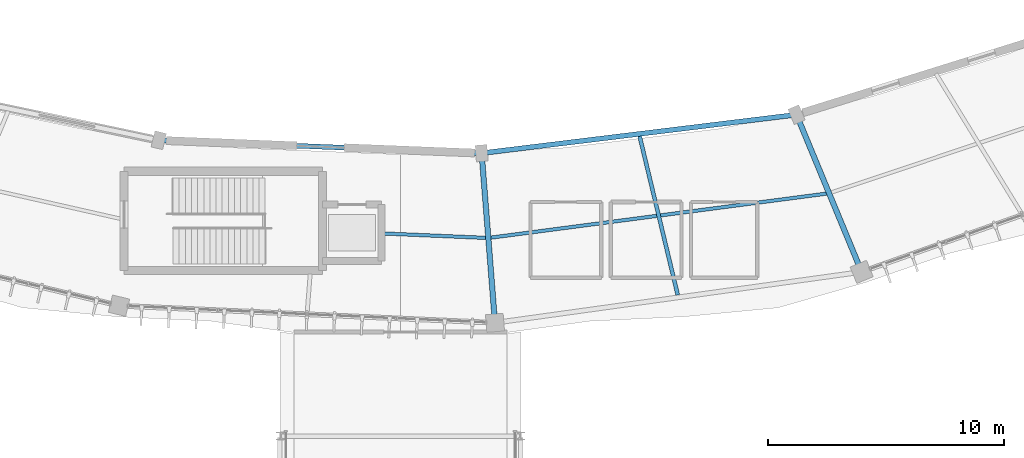
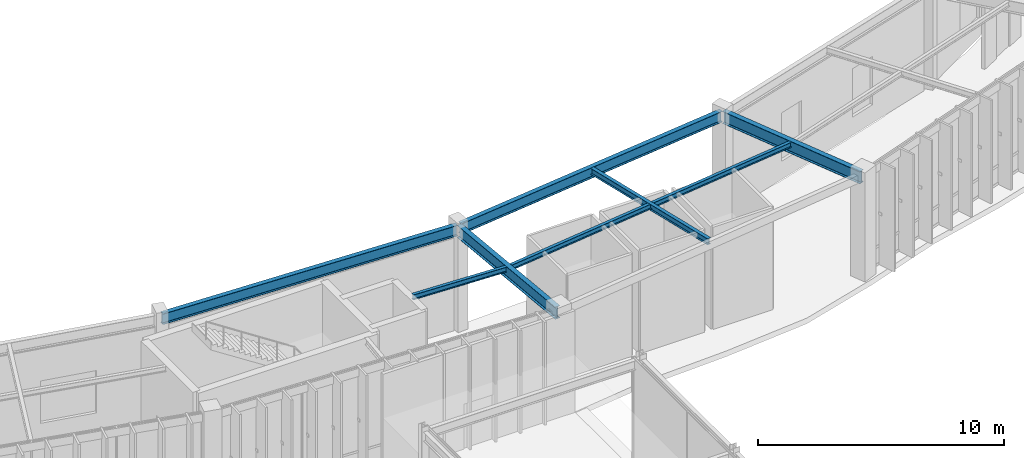
# One storey, part 59 of 157: 7 beams.
"""IFC4 building model written with IfcOpenShell, lengths in metres."""

from ifc_helpers import new_model, si_unit, direction, frame, origin, origin_2d, place, context, subcontext, project, spatial, i_section, extrude, material, material_profile, profile_set, type_object, element, save


model = new_model("IFC4")

# Units and contexts
model_context = context("Model", 3, precision=1e-05, world=origin(), true_north=direction((0.0, 1.0)))
body_context = subcontext(model_context, "Body", "Model", "MODEL_VIEW")
ifc_project = project(units=[si_unit("LENGTHUNIT", "METRE"), si_unit("AREAUNIT", "SQUARE_METRE"), si_unit("VOLUMEUNIT", "CUBIC_METRE"), si_unit("PLANEANGLEUNIT", "RADIAN"), si_unit("MASSUNIT", "GRAM", prefix="KILO"), si_unit("THERMODYNAMICTEMPERATUREUNIT", "KELVIN"), si_unit("POWERUNIT", "WATT")], contexts=[model_context])

# Site, building, storey
site_placement = place(None, origin())
site = spatial("IfcSite", under=ifc_project, at=site_placement, CompositionType="ELEMENT")
building_placement = place(site_placement, origin())
building = spatial("IfcBuilding", under=site, at=building_placement, Name="Darbajah Civic Hall", CompositionType="ELEMENT")
storey_placement = place(building_placement, origin())
storey = spatial("IfcBuildingStorey", under=building, at=storey_placement, Name="L00", CompositionType="ELEMENT", Elevation=0.0)

# Beams
ifc_material = material(Name="Steel S355JR", Category="steel")
ifc_material_profile_1 = material_profile(ifc_material, i_section(OverallWidth=0.146484375, OverallDepth=0.256103515625, WebThickness=0.00634765625, FlangeThickness=0.010986328125, FilletRadius=0.007568359375, at=origin_2d()), Name="UB 254x146x37")
ifc_profile_set_1 = profile_set([ifc_material_profile_1], Name="Steel S355JR")
beam_type_1 = type_object("IfcBeamType", Name="UB 254x146x37", PredefinedType="JOIST", material=ifc_profile_set_1)
beam_1_placement = place(storey_placement, frame((88.419921875, 64.1689453125, 4.991943359375), z_axis=(0.999077737956, -0.042938019518, 0.0), x_axis=(0.042938019518, 0.999077737956, 0.0)))
element("IfcBeam", 1, at=beam_1_placement, inside=storey, type_object=beam_type_1, Name="L00 beam SJ-254", PredefinedType="JOIST", context=body_context, shape_type="SweptSolid", body=[
    extrude(i_section(OverallWidth=0.146484375, OverallDepth=0.256103515625, WebThickness=0.00634765625, FlangeThickness=0.010986328125, FilletRadius=0.007568359375, at=origin_2d()), origin(), (0.0, 0.0, 1.0), 4.287109375),
])
beam_2_placement = place(storey_placement, frame((92.93408203125, 63.994873046875, 4.991943359375), z_axis=(0.991504446027, 0.130072800801, 0.0), x_axis=(-0.130072800801, 0.991504446027, 0.0)))
element("IfcBeam", 2, at=beam_2_placement, inside=storey, type_object=beam_type_1, Name="L00 beam SJ-254", PredefinedType="JOIST", context=body_context, shape_type="SweptSolid", body=[
    extrude(i_section(OverallWidth=0.146484375, OverallDepth=0.256103515625, WebThickness=0.00634765625, FlangeThickness=0.010986328125, FilletRadius=0.007568359375, at=origin_2d()), origin(), (0.0, 0.0, 1.0), 14.311767578125),
])
ifc_material_profile_2 = material_profile(ifc_material, i_section(OverallWidth=0.165771484375, OverallDepth=0.306640625, WebThickness=0.006591796875, FlangeThickness=0.01171875, FilletRadius=0.0087890625, at=origin_2d()), Name="UB 305x165x46")
ifc_profile_set_2 = profile_set([ifc_material_profile_2], Name="Steel S355JR")
beam_type_2 = type_object("IfcBeamType", Name="UB 305x165x46", PredefinedType="JOIST", material=ifc_profile_set_2)
beam_3_placement = place(storey_placement, frame((99.2236328125, 68.280029296875, 4.966796875), z_axis=(0.233446518106, -0.972369643286, 0.0), x_axis=(0.972369643286, 0.233446518106, 0.0)))
element("IfcBeam", 3, at=beam_3_placement, inside=storey, type_object=beam_type_2, Name="L00 beam SJ-305", PredefinedType="JOIST", context=body_context, shape_type="SweptSolid", body=[
    extrude(i_section(OverallWidth=0.165771484375, OverallDepth=0.306640625, WebThickness=0.006591796875, FlangeThickness=0.01171875, FilletRadius=0.0087890625, at=origin_2d()), origin(), (0.0, 0.0, 1.0), 6.9033203125),
])
ifc_material_profile_3 = material_profile(ifc_material, i_section(OverallWidth=0.209228515625, OverallDepth=0.533203125, WebThickness=0.010009765625, FlangeThickness=0.015625, FilletRadius=0.0126953125, at=origin_2d()), Name="UB 533x210x92")
ifc_profile_set_3 = profile_set([ifc_material_profile_3], Name="Steel S355JR")
beam_type_3 = type_object("IfcBeamType", Name="UB 533x210x92", PredefinedType="BEAM", material=ifc_profile_set_3)
beam_4_placement = place(storey_placement, frame((78.955078125, 68.113037109375, 4.853515625), z_axis=(0.999198127678, -0.04003875178, 0.0), x_axis=(0.04003875178, 0.999198127678, 0.0)))
element("IfcBeam", 4, at=beam_4_placement, inside=storey, type_object=beam_type_3, Name="L00 beam SB-533", PredefinedType="BEAM", context=body_context, shape_type="SweptSolid", body=[
    extrude(i_section(OverallWidth=0.209228515625, OverallDepth=0.533203125, WebThickness=0.010009765625, FlangeThickness=0.015625, FilletRadius=0.0126953125, at=origin_2d()), origin(), (0.0, 0.0, 1.0), 13.51220703125),
])
beam_5_placement = place(storey_placement, frame((92.615966796875, 67.578369140625, 4.853515625), z_axis=(0.992611744559, 0.121333938216, 0.0), x_axis=(-0.121333938216, 0.992611744559, 0.0)))
element("IfcBeam", 5, at=beam_5_placement, inside=storey, type_object=beam_type_3, Name="L00 beam SB-533", PredefinedType="BEAM", context=body_context, shape_type="SweptSolid", body=[
    extrude(i_section(OverallWidth=0.209228515625, OverallDepth=0.533203125, WebThickness=0.010009765625, FlangeThickness=0.015625, FilletRadius=0.0126953125, at=origin_2d()), origin(), (0.0, 0.0, 1.0), 13.263916015625),
])
ifc_material_profile_4 = material_profile(ifc_material, i_section(OverallWidth=0.228271484375, OverallDepth=0.607666015625, WebThickness=0.010986328125, FlangeThickness=0.017333984375, FilletRadius=0.0126953125, at=origin_2d()), Name="UB 610x229x113")
ifc_profile_set_4 = profile_set([ifc_material_profile_4], Name="Steel S355JR")
beam_type_4 = type_object("IfcBeamType", Name="UB 610x229x113", PredefinedType="BEAM", material=ifc_profile_set_4)
for number, where, z_axis, x_axis, name in (
    (6, (92.542724609375, 67.489013671875, 4.816162109375), (0.078478466478, -0.996915809033, 0.0), (0.996915809033, 0.078478466478, 0.0), "L00 beam SB-610"),
    (7, (105.89208984375, 69.12353515625, 4.816162109375), (0.382681552297, -0.923880311259, 0.0), (0.923880311259, 0.382681552297, 0.0), "L00 beam SB-610"),
):
    element("IfcBeam", number, at=place(storey_placement, frame(where, z_axis=z_axis, x_axis=x_axis)), inside=storey, type_object=beam_type_4, Name=name, PredefinedType="BEAM", context=body_context, shape_type="SweptSolid", body=[
        extrude(i_section(OverallWidth=0.228271484375, OverallDepth=0.607666015625, WebThickness=0.010986328125, FlangeThickness=0.017333984375, FilletRadius=0.0126953125, at=origin_2d()), origin(), (0.0, 0.0, 1.0), 7.0400390625),
    ])

save(model, "model.ifc")
